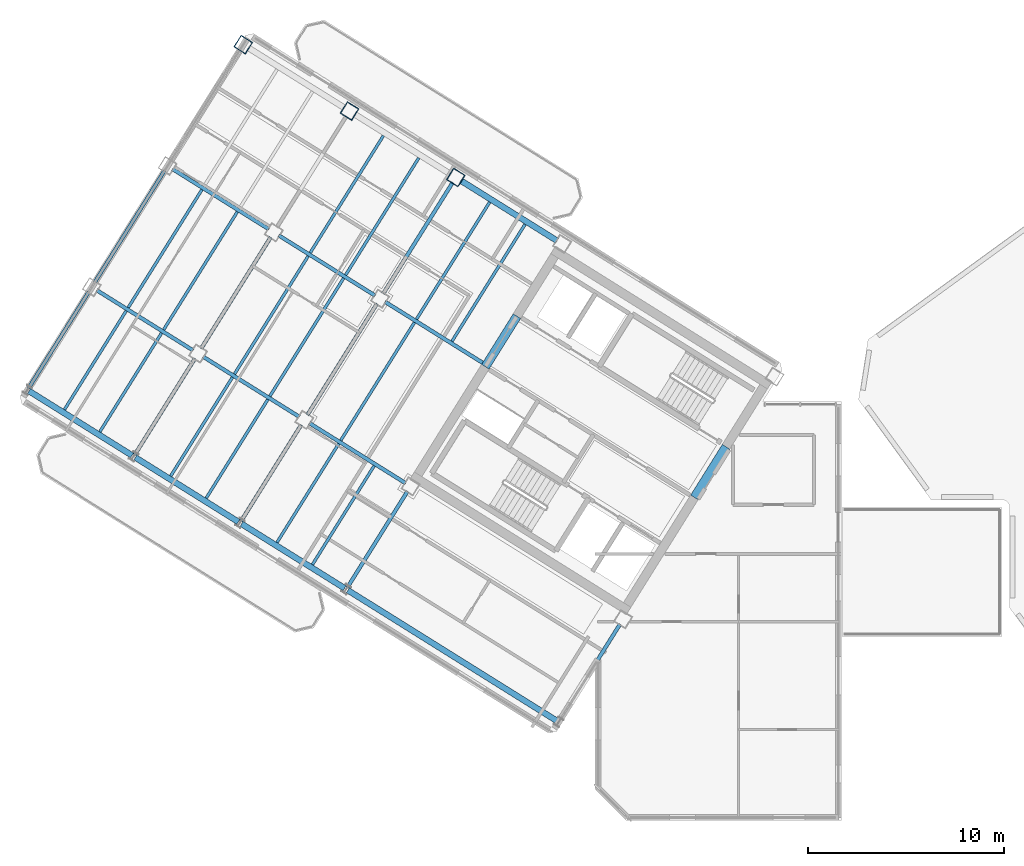
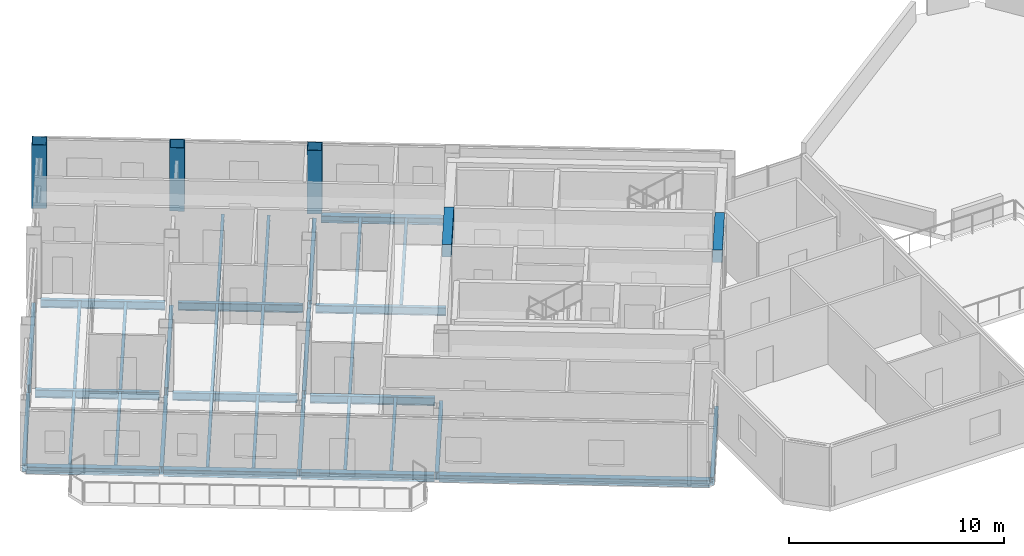
# One storey, part 2 of 14: 37 beams, 3 columns.
"""IFC4 building model written with IfcOpenShell, lengths in metres."""

from ifc_helpers import new_model, si_unit, direction, frame, origin, origin_2d, place, context, subcontext, project, spatial, rectangle, hollow_rectangle, i_section, extrude, source, transform, mapped, material, material_profile, profile_set, type_object, element, save


model = new_model("IFC4")

# Units and contexts
model_context = context("Model", 3, precision=1e-05, world=origin(), true_north=direction((0.0, 1.0)))
body_context = subcontext(model_context, "Body", "Model", "MODEL_VIEW")
ifc_project = project(units=[si_unit("LENGTHUNIT", "METRE"), si_unit("AREAUNIT", "SQUARE_METRE"), si_unit("VOLUMEUNIT", "CUBIC_METRE"), si_unit("PLANEANGLEUNIT", "RADIAN"), si_unit("MASSUNIT", "GRAM", prefix="KILO")], contexts=[model_context])

# Site, building, storey
site_placement = place(None, origin())
site = spatial("IfcSite", under=ifc_project, at=site_placement, CompositionType="ELEMENT")
building_placement = place(site_placement, origin())
building = spatial("IfcBuilding", under=site, at=building_placement, Name="Tlacorven Tower", CompositionType="ELEMENT")
storey_placement = place(building_placement, frame((0.0, 0.0, 262.800048828125)))
storey = spatial("IfcBuildingStorey", under=building, at=storey_placement, Name="L66", CompositionType="ELEMENT", Elevation=262.800048828125)

# Columns
ifc_material_1 = material(Name="Steel S460M", Category="steel")
ifc_material_profile_1 = material_profile(ifc_material_1, hollow_rectangle(XDim=0.699951171875, YDim=0.699951171875, WallThickness=0.028076171875, at=origin_2d()), Name="BOX 700X700X28")
ifc_profile_set_1 = profile_set([ifc_material_profile_1], Name="Steel S460M")
column_type = type_object("IfcColumnType", Name="COL-TWR-S4", PredefinedType="COLUMN", material=ifc_profile_set_1)
shared_shape_1 = source(origin(), body_context, "Body", "SweptSolid", [
    extrude(hollow_rectangle(XDim=0.699951171875, YDim=0.699951171875, WallThickness=0.028076171875, at=origin_2d()), origin(), (0.0, 0.0, 1.0), 3.599853515625),
])
for number, where, z_axis, x_axis, name in (
    (1, (24.50048828125, 34.642822265625, 0.0), (0.0, 0.0, 1.0), (-0.848048096156, 0.529919264233, 0.0), "L66 column COL-L66-W4-1"),
    (2, (19.072998046875, 38.034423828125, 0.0), (0.0, 0.0, 1.0), (-0.848048096156, 0.529919264233, 0.0), "L66 column COL-L66-W5-1"),
    (3, (13.6455078125, 41.42578125, 0.0), (0.0, 0.0, 1.0), (-0.848048096156, 0.529919264233, 0.0), "L66 column COL-L66-W6-1"),
):
    element("IfcColumn", number, at=place(storey_placement, frame(where, z_axis=z_axis, x_axis=x_axis)), inside=storey, type_object=column_type, Name=name, PredefinedType="COLUMN", context=body_context, shape_type="MappedRepresentation", body=[
        mapped(shared_shape_1, transform((0.0, 0.0, 0.0), scale=1.0)),
    ])

# Beams
ifc_material_2 = material(Name="Concrete C60/75", Category="concrete")
ifc_material_profile_2 = material_profile(ifc_material_2, rectangle(XDim=0.449951171875, YDim=0.699951171875, at=origin_2d()), Name="RC 450X700")
ifc_profile_set_2 = profile_set([ifc_material_profile_2], Name="Concrete C60/75")
beam_type_1 = type_object("IfcBeamType", Name="BM-LNT-700", PredefinedType="LINTEL", material=ifc_profile_set_2)
shared_shape_2 = source(origin(), body_context, "Body", "SweptSolid", [
    extrude(rectangle(XDim=0.449951171875, YDim=0.699951171875, at=origin_2d()), origin(), (0.0, 0.0, 1.0), 3.050048828125),
])
beam_1_placement = place(storey_placement, frame((38.2998046875, 20.890625, 3.0), z_axis=(-0.529984549635, -0.848007297815, 0.0), x_axis=(0.848007297815, -0.529984549635, 0.0)))
element("IfcBeam", 4, at=beam_1_placement, inside=storey, type_object=beam_type_1, Name="L66 W core coupling lintel beam E1", PredefinedType="LINTEL", context=body_context, shape_type="MappedRepresentation", body=[
    mapped(shared_shape_2, transform((0.0, 0.0, 0.0), scale=1.0)),
])
shared_shape_3 = source(origin(), body_context, "Body", "SweptSolid", [
    extrude(rectangle(XDim=0.449951171875, YDim=0.699951171875, at=origin_2d()), origin(), (0.0, 0.0, 1.0), 3.0498046875),
])
beam_2_placement = place(storey_placement, frame((27.622802734375, 27.562255859375, 3.0), z_axis=(-0.529926983584, -0.848043272522, 0.0), x_axis=(0.848043272522, -0.529926983584, 0.0)))
element("IfcBeam", 5, at=beam_2_placement, inside=storey, type_object=beam_type_1, Name="L66 W core coupling lintel beam E2", PredefinedType="LINTEL", context=body_context, shape_type="MappedRepresentation", body=[
    mapped(shared_shape_3, transform((0.0, 0.0, 0.0), scale=1.0)),
])
ifc_material_3 = material(Name="Steel S355J2", Category="steel")
ifc_material_profile_3 = material_profile(ifc_material_3, i_section(OverallWidth=0.300048828125, OverallDepth=0.389892578125, WebThickness=0.010986328125, FlangeThickness=0.01904296875, at=origin_2d()), Name="HEA 400")
ifc_profile_set_3 = profile_set([ifc_material_profile_3], Name="Steel S355J2")
beam_type_2 = type_object("IfcBeamType", Name="BM-SPN-400", PredefinedType="SPANDREL", material=ifc_profile_set_3)
shared_shape_4 = source(origin(), body_context, "Body", "SweptSolid", [
    extrude(i_section(OverallWidth=0.300048828125, OverallDepth=0.389892578125, WebThickness=0.010986328125, FlangeThickness=0.01904296875, at=origin_2d()), origin(), (0.0, 0.0, 1.0), 12.599853515625),
])
beam_3_placement = place(storey_placement, frame((29.67578125, 6.882080078125, -0.445068359375), z_axis=(-0.848045108756, 0.529924045043, 0.0), x_axis=(-0.529924045043, -0.848045108756, 0.0)))
element("IfcBeam", 6, at=beam_3_placement, inside=storey, type_object=beam_type_2, Name="L66 beam BM-L66-WL4-1", PredefinedType="SPANDREL", context=body_context, shape_type="MappedRepresentation", body=[
    mapped(shared_shape_4, transform((0.0, 0.0, 0.0), scale=1.0)),
])
shared_shape_5 = source(origin(), body_context, "Body", "SweptSolid", [
    extrude(i_section(OverallWidth=0.300048828125, OverallDepth=0.389892578125, WebThickness=0.010986328125, FlangeThickness=0.01904296875, at=origin_2d()), origin(), (0.0, 0.0, 1.0), 6.199951171875),
])
for number, where, z_axis, x_axis, name in (
    (7, (18.82080078125, 13.6650390625, -0.445068359375), (-0.848051394107, 0.529913986372, 0.0), (-0.529913986372, -0.848051394107, 0.0), "L66 beam BM-L66-WL4-3"),
    (8, (13.393310546875, 17.056396484375, -0.445068359375), (-0.848033697614, 0.529942306022, 0.0), (-0.529942306022, -0.848033697614, 0.0), "L66 beam BM-L66-WL4-4"),
    (9, (7.9658203125, 20.447998046875, -0.445068359375), (-0.848051394107, 0.529913986372, 0.0), (-0.529913986372, -0.848051394107, 0.0), "L66 beam BM-L66-WL4-5"),
):
    element("IfcBeam", number, at=place(storey_placement, frame(where, z_axis=z_axis, x_axis=x_axis)), inside=storey, type_object=beam_type_2, Name=name, PredefinedType="SPANDREL", context=body_context, shape_type="MappedRepresentation", body=[
        mapped(shared_shape_5, transform((0.0, 0.0, 0.0), scale=1.0)),
    ])
shared_shape_6 = source(origin(), body_context, "Body", "SweptSolid", [
    extrude(i_section(OverallWidth=0.300048828125, OverallDepth=0.389892578125, WebThickness=0.010986328125, FlangeThickness=0.01904296875, at=origin_2d()), origin(), (0.0, 0.0, 1.0), 5.800048828125),
])
beam_4_placement = place(storey_placement, frame((29.673583984375, 31.410400390625, -0.445068359375), z_axis=(-0.848052689693, 0.529911912967, 0.0), x_axis=(-0.529911912967, -0.848052689693, 0.0)))
element("IfcBeam", 10, at=beam_4_placement, inside=storey, type_object=beam_type_2, Name="L66 beam BM-L66-WL1-3", PredefinedType="SPANDREL", context=body_context, shape_type="MappedRepresentation", body=[
    mapped(shared_shape_6, transform((0.0, 0.0, 0.0), scale=1.0)),
])
ifc_material_profile_4 = material_profile(ifc_material_3, i_section(OverallWidth=0.14990234375, OverallDepth=0.300048828125, WebThickness=0.007080078125, FlangeThickness=0.0107421875, at=origin_2d()), Name="IPE 300")
ifc_profile_set_4 = profile_set([ifc_material_profile_4], Name="Steel S355J2")
beam_type_3 = type_object("IfcBeamType", Name="BM-JST-300", PredefinedType="JOIST", material=ifc_profile_set_4)
shared_shape_7 = source(origin(), body_context, "Body", "SweptSolid", [
    extrude(i_section(OverallWidth=0.14990234375, OverallDepth=0.300048828125, WebThickness=0.007080078125, FlangeThickness=0.0107421875, at=origin_2d()), origin(), (0.0, 0.0, 1.0), 7.10009765625),
])
for number, where, z_axis, x_axis, name in (
    (11, (22.38818359375, 27.23681640625, -0.400146484375), (-0.529915484902, -0.848050457733, 0.0), (0.848050457733, -0.529915484902, 0.0), "L66 beam BM-L66-WJ3-2-2"),
    (12, (11.533203125, 34.019775390625, -0.400146484375), (-0.529915484902, -0.848050457733, 0.0), (0.848050457733, -0.529915484902, 0.0), "L66 beam BM-L66-WJ5-2-2"),
):
    element("IfcBeam", number, at=place(storey_placement, frame(where, z_axis=z_axis, x_axis=x_axis)), inside=storey, type_object=beam_type_3, Name=name, PredefinedType="JOIST", context=body_context, shape_type="MappedRepresentation", body=[
        mapped(shared_shape_7, transform((0.0, 0.0, 0.0), scale=1.0)),
    ])
shared_shape_8 = source(origin(), body_context, "Body", "SweptSolid", [
    extrude(i_section(OverallWidth=0.14990234375, OverallDepth=0.300048828125, WebThickness=0.007080078125, FlangeThickness=0.0107421875, at=origin_2d()), origin(), (0.0, 0.0, 1.0), 7.099853515625),
])
for number, where, z_axis, x_axis, name in (
    (13, (18.769775390625, 29.497802734375, -0.400146484375), (-0.529890754507, -0.848065910344, 0.0), (0.848065910344, -0.529890754507, 0.0), "L66 beam BM-L66-WJ4-2-1"),
    (14, (16.960693359375, 30.628173828125, -0.400146484375), (-0.529930937954, -0.848040801494, 0.0), (0.848040801494, -0.529930937954, 0.0), "L66 beam BM-L66-WJ4-2-2"),
    (15, (13.34228515625, 32.88916015625, -0.400146484375), (-0.529930937954, -0.848040801494, 0.0), (0.848040801494, -0.529930937954, 0.0), "L66 beam BM-L66-WJ5-2-1"),
):
    element("IfcBeam", number, at=place(storey_placement, frame(where, z_axis=z_axis, x_axis=x_axis)), inside=storey, type_object=beam_type_3, Name=name, PredefinedType="JOIST", context=body_context, shape_type="MappedRepresentation", body=[
        mapped(shared_shape_8, transform((0.0, 0.0, 0.0), scale=1.0)),
    ])
shared_shape_9 = source(origin(), body_context, "Body", "SweptSolid", [
    extrude(i_section(OverallWidth=0.14990234375, OverallDepth=0.300048828125, WebThickness=0.007080078125, FlangeThickness=0.0107421875, at=origin_2d()), origin(), (0.0, 0.0, 1.0), 7.044921875),
])
for number, where, z_axis, x_axis, name in (
    (16, (28.03662109375, 32.25048828125, -0.400146484375), (-0.529899256491, -0.848060598053, 0.0), (0.848060598053, -0.529899256491, 0.0), "L66 beam BM-L66-WJ3-1-1"),
    (17, (26.2275390625, 33.380859375, -0.400146484375), (-0.529939753148, -0.848035292917, 0.0), (0.848035292917, -0.529939753148, 0.0), "L66 beam BM-L66-WJ3-1-2"),
    (18, (22.609130859375, 35.641845703125, -0.400146484375), (-0.52991483005, -0.848050866925, 0.0), (0.848050866925, -0.52991483005, 0.0), "L66 beam BM-L66-WJ4-1-1"),
):
    element("IfcBeam", number, at=place(storey_placement, frame(where, z_axis=z_axis, x_axis=x_axis)), inside=storey, type_object=beam_type_3, Name=name, PredefinedType="JOIST", context=body_context, shape_type="MappedRepresentation", body=[
        mapped(shared_shape_9, transform((0.0, 0.0, 0.0), scale=1.0)),
    ])
shared_shape_10 = source(origin(), body_context, "Body", "SweptSolid", [
    extrude(i_section(OverallWidth=0.14990234375, OverallDepth=0.300048828125, WebThickness=0.007080078125, FlangeThickness=0.0107421875, at=origin_2d()), origin(), (0.0, 0.0, 1.0), 5.945068359375),
])
for number, where, z_axis, x_axis, name in (
    (19, (20.3291015625, 19.91552734375, -0.400146484375), (-0.529914037113, -0.848051362401, 0.0), (0.848051362401, -0.529914037113, 0.0), "L66 beam BM-L66-WJ3-3-1"),
    (20, (18.519775390625, 21.046142578125, -0.400146484375), (-0.529914037113, -0.848051362401, 0.0), (0.848051362401, -0.529914037113, 0.0), "L66 beam BM-L66-WJ3-3-2"),
    (21, (14.9013671875, 23.30712890625, -0.400146484375), (-0.529884501938, -0.848069817059, 0.0), (0.848069817059, -0.529884501938, 0.0), "L66 beam BM-L66-WJ4-3-1"),
    (22, (9.473876953125, 26.698486328125, -0.400146484375), (-0.529914037113, -0.848051362401, 0.0), (0.848051362401, -0.529914037113, 0.0), "L66 beam BM-L66-WJ5-3-1"),
    (23, (7.664794921875, 27.8291015625, -0.400146484375), (-0.529914037113, -0.848051362401, 0.0), (0.848051362401, -0.529914037113, 0.0), "L66 beam BM-L66-WJ5-3-2"),
):
    element("IfcBeam", number, at=place(storey_placement, frame(where, z_axis=z_axis, x_axis=x_axis)), inside=storey, type_object=beam_type_3, Name=name, PredefinedType="JOIST", context=body_context, shape_type="MappedRepresentation", body=[
        mapped(shared_shape_10, transform((0.0, 0.0, 0.0), scale=1.0)),
    ])
shared_shape_11 = source(origin(), body_context, "Body", "SweptSolid", [
    extrude(i_section(OverallWidth=0.14990234375, OverallDepth=0.300048828125, WebThickness=0.007080078125, FlangeThickness=0.0107421875, at=origin_2d()), origin(), (0.0, 0.0, 1.0), 7.045166015625),
])
beam_5_placement = place(storey_placement, frame((20.800048828125, 36.7724609375, -0.400146484375), z_axis=(-0.529924179428, -0.848045024782, 0.0), x_axis=(0.848045024782, -0.529924179428, 0.0)))
element("IfcBeam", 24, at=beam_5_placement, inside=storey, type_object=beam_type_3, Name="L66 beam BM-L66-WJ4-1-2", PredefinedType="JOIST", context=body_context, shape_type="MappedRepresentation", body=[
    mapped(shared_shape_11, transform((0.0, 0.0, 0.0), scale=1.0)),
])
shared_shape_12 = source(origin(), body_context, "Body", "SweptSolid", [
    extrude(i_section(OverallWidth=0.14990234375, OverallDepth=0.300048828125, WebThickness=0.007080078125, FlangeThickness=0.0107421875, at=origin_2d()), origin(), (0.0, 0.0, 1.0), 5.94482421875),
])
beam_6_placement = place(storey_placement, frame((13.09228515625, 24.4375, -0.400146484375), z_axis=(-0.529932492401, -0.848039830136, 0.0), x_axis=(0.848039830136, -0.529932492401, 0.0)))
element("IfcBeam", 25, at=beam_6_placement, inside=storey, type_object=beam_type_3, Name="L66 beam BM-L66-WJ4-3-2", PredefinedType="JOIST", context=body_context, shape_type="MappedRepresentation", body=[
    mapped(shared_shape_12, transform((0.0, 0.0, 0.0), scale=1.0)),
])
ifc_material_profile_5 = material_profile(ifc_material_3, i_section(OverallWidth=0.18994140625, OverallDepth=0.449951171875, WebThickness=0.009521484375, FlangeThickness=0.0146484375, at=origin_2d()), Name="IPE 450")
ifc_profile_set_5 = profile_set([ifc_material_profile_5], Name="Steel S355J2")
beam_type_4 = type_object("IfcBeamType", Name="BM-TWR-450", PredefinedType="BEAM", material=ifc_profile_set_5)
shared_shape_13 = source(origin(), body_context, "Body", "SweptSolid", [
    extrude(i_section(OverallWidth=0.18994140625, OverallDepth=0.449951171875, WebThickness=0.009521484375, FlangeThickness=0.0146484375, at=origin_2d()), origin(), (0.0, 0.0, 1.0), 6.06005859375),
])
beam_7_placement = place(storey_placement, frame((26.025634765625, 25.081787109375, -0.47509765625), z_axis=(-0.848039041052, 0.529933755154, 0.0), x_axis=(-0.529933755154, -0.848039041052, 0.0)))
element("IfcBeam", 26, at=beam_7_placement, inside=storey, type_object=beam_type_4, Name="L66 beam BM-L66-WL2-3", PredefinedType="BEAM", context=body_context, shape_type="MappedRepresentation", body=[
    mapped(shared_shape_13, transform((0.0, 0.0, 0.0), scale=1.0)),
])
shared_shape_14 = source(origin(), body_context, "Body", "SweptSolid", [
    extrude(i_section(OverallWidth=0.18994140625, OverallDepth=0.449951171875, WebThickness=0.009521484375, FlangeThickness=0.0146484375, at=origin_2d()), origin(), (0.0, 0.0, 1.0), 5.800048828125),
])
for number, where, z_axis, x_axis, name in (
    (27, (20.377685546875, 28.611083984375, -0.47509765625), (-0.848052689693, 0.529911912967, 0.0), (-0.529911912967, -0.848052689693, 0.0), "L66 beam BM-L66-WL2-4"),
    (28, (14.9501953125, 32.00244140625, -0.47509765625), (-0.848033773154, 0.52994218514, 0.0), (-0.52994218514, -0.848033773154, 0.0), "L66 beam BM-L66-WL2-5"),
    (29, (21.936767578125, 19.02880859375, -0.47509765625), (-0.848052689693, 0.529911912967, 0.0), (-0.529911912967, -0.848052689693, 0.0), "L66 beam BM-L66-WL3-3"),
    (30, (16.50927734375, 22.42041015625, -0.47509765625), (-0.848052689693, 0.529911912967, 0.0), (-0.529911912967, -0.848052689693, 0.0), "L66 beam BM-L66-WL3-4"),
    (31, (11.081787109375, 25.811767578125, -0.47509765625), (-0.848052689693, 0.529911912967, 0.0), (-0.529911912967, -0.848052689693, 0.0), "L66 beam BM-L66-WL3-5"),
    (32, (32.88720703125, 11.83251953125, -0.47509765625), (-0.529911912967, -0.848052689693, 0.0), (0.848052689693, -0.529911912967, 0.0), "L66 beam BM-L66-WT1-2"),
    (33, (22.0322265625, 18.615478515625, -0.47509765625), (-0.52994218514, -0.848033773154, 0.0), (0.848033773154, -0.52994218514, 0.0), "L66 beam BM-L66-WT3-2"),
    (34, (16.604736328125, 22.0068359375, -0.47509765625), (-0.52994218514, -0.848033773154, 0.0), (0.848033773154, -0.52994218514, 0.0), "L66 beam BM-L66-WT4-3"),
    (35, (11.17724609375, 25.3984375, -0.47509765625), (-0.52994218514, -0.848033773154, 0.0), (0.848033773154, -0.52994218514, 0.0), "L66 beam BM-L66-WT5-3"),
    (36, (5.74951171875, 28.789794921875, -0.47509765625), (-0.529911912967, -0.848052689693, 0.0), (0.848052689693, -0.529911912967, 0.0), "L66 beam BM-L66-WT6-3"),
):
    element("IfcBeam", number, at=place(storey_placement, frame(where, z_axis=z_axis, x_axis=x_axis)), inside=storey, type_object=beam_type_4, Name=name, PredefinedType="BEAM", context=body_context, shape_type="MappedRepresentation", body=[
        mapped(shared_shape_14, transform((0.0, 0.0, 0.0), scale=1.0)),
    ])
shared_shape_15 = source(origin(), body_context, "Body", "SweptSolid", [
    extrude(i_section(OverallWidth=0.18994140625, OverallDepth=0.449951171875, WebThickness=0.009521484375, FlangeThickness=0.0146484375, at=origin_2d()), origin(), (0.0, 0.0, 1.0), 6.699951171875),
])
for number, where, z_axis, x_axis, name in (
    (37, (24.341552734375, 34.388427734375, -0.47509765625), (-0.529930154818, -0.848041290867, 0.0), (0.848041290867, -0.529930154818, 0.0), "L66 beam BM-L66-WT4-1"),
    (38, (20.47314453125, 28.19775390625, -0.47509765625), (-0.529930154818, -0.848041290867, 0.0), (0.848041290867, -0.529930154818, 0.0), "L66 beam BM-L66-WT4-2"),
    (39, (15.045654296875, 31.589111328125, -0.47509765625), (-0.529930154818, -0.848041290867, 0.0), (0.848041290867, -0.529930154818, 0.0), "L66 beam BM-L66-WT5-2"),
    (40, (9.617919921875, 34.980712890625, -0.47509765625), (-0.529903948186, -0.848057666493, 0.0), (0.848057666493, -0.529903948186, 0.0), "L66 beam BM-L66-WT6-2"),
):
    element("IfcBeam", number, at=place(storey_placement, frame(where, z_axis=z_axis, x_axis=x_axis)), inside=storey, type_object=beam_type_4, Name=name, PredefinedType="BEAM", context=body_context, shape_type="MappedRepresentation", body=[
        mapped(shared_shape_15, transform((0.0, 0.0, 0.0), scale=1.0)),
    ])

save(model, "model.ifc")
